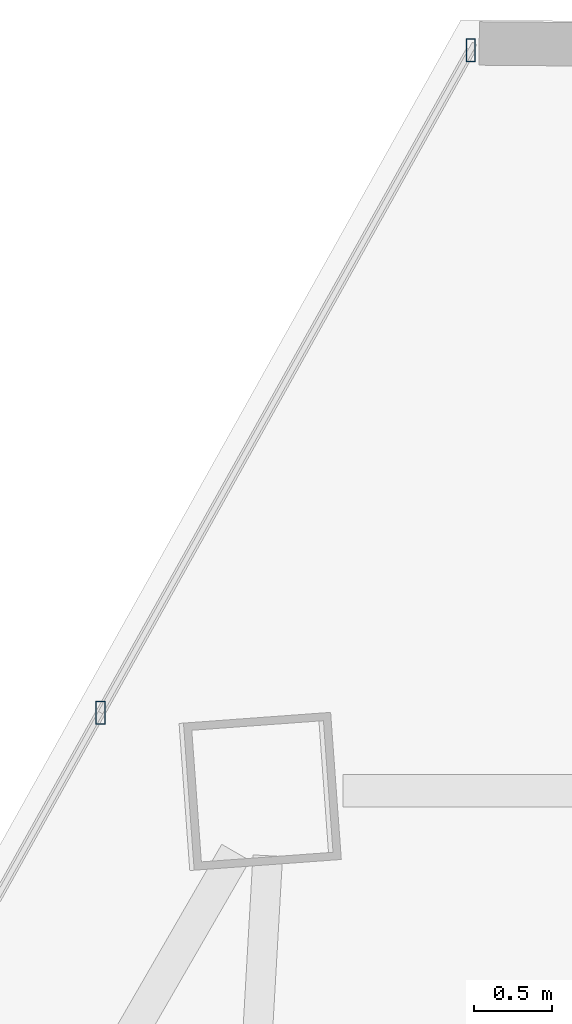
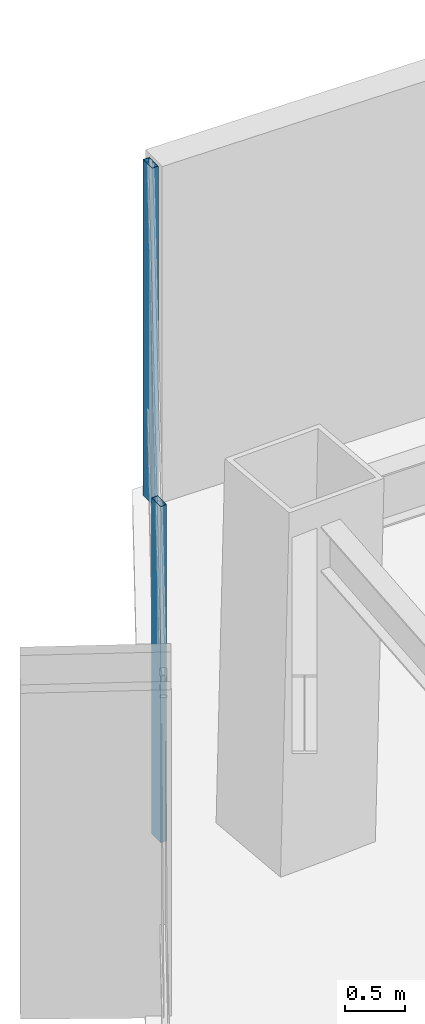
# One storey, part 28 of 39: 2 members, 1 element without a shape of its own.
"""IFC4 building model written with IfcOpenShell, lengths in metres."""

import ifcopenshell
import ifcopenshell.guid

model = None  # the IFC model being written
_history = None  # IfcOwnerHistory: only IFC2X3 demands one
_inside = {}  # id of a spatial element -> (the spatial element, [elements in it])
_under = {}  # id of a project, library or spatial element -> (it, [spatial elements below it])
_declared = {}  # id of a project -> (the project, [libraries it declares])
_typed = {}  # id of a type object -> (the type object, [elements of that type])
_made_of = {}  # id of a material, layer set ... -> (it, [elements and type objects made of it])


def new_model(schema):
    """Start an empty IFC model of exactly this schema.

    Asked for "IFC4X3", IfcOpenShell would pick the latest addendum, in which some entities
    have other attributes; the version numbers below select the first issue.
    IFC2X3 requires an IfcOwnerHistory on every rooted entity: one is made here for all.
    """
    global model, _history
    if schema == "IFC4X3":
        model = ifcopenshell.file(schema_version=(4, 3, 0, 0))
    else:
        model = ifcopenshell.file(schema=schema)
    _inside.clear()
    _under.clear()
    _declared.clear()
    _typed.clear()
    _made_of.clear()
    _history = None
    if model.schema == "IFC2X3":
        org = make("IfcOrganization", Name="unknown")
        user = make(
            "IfcPersonAndOrganization",
            ThePerson=make("IfcPerson", FamilyName="unknown"),
            TheOrganization=org,
        )
        app = make(
            "IfcApplication",
            ApplicationDeveloper=org,
            Version="unknown",
            ApplicationFullName="unknown",
            ApplicationIdentifier="unknown",
        )
        _history = make(
            "IfcOwnerHistory",
            OwningUser=user,
            OwningApplication=app,
            ChangeAction="ADDED",
            CreationDate=0,
        )
    return model


def make(cls, **values):
    """One entity of the class cls with the attributes given. An attribute that is None is left unset."""
    return model.create_entity(
        cls, **{name: value for name, value in values.items() if value is not None}
    )


def rooted(cls, **values):
    """An entity with a GlobalId (a new one), such as an element, a storey or a relation."""
    return make(cls, GlobalId=ifcopenshell.guid.new(), OwnerHistory=_history, **values)


def si_unit(unit_type, name, prefix=None):
    """IfcSIUnit, for example si_unit("LENGTHUNIT", "METRE", prefix="MILLI")."""
    return make("IfcSIUnit", UnitType=unit_type, Prefix=prefix, Name=name)


def assignment(units):
    """IfcUnitAssignment: the units of a project."""
    return None if units is None else make("IfcUnitAssignment", Units=units)


def point(xyz):
    """IfcCartesianPoint."""
    return None if xyz is None else make("IfcCartesianPoint", Coordinates=xyz)


def direction(xyz):
    """IfcDirection."""
    return None if xyz is None else make("IfcDirection", DirectionRatios=xyz)


def frame(location, z_axis=None, x_axis=None):
    """IfcAxis2Placement3D, a coordinate frame: its origin and axes. An axis left out is left unset."""
    return make(
        "IfcAxis2Placement3D",
        Location=point(location),
        Axis=direction(z_axis),
        RefDirection=direction(x_axis),
    )


def frame_2d(location, x_axis=None):
    """IfcAxis2Placement2D, a coordinate frame in the plane: its origin and x axis."""
    return make(
        "IfcAxis2Placement2D", Location=point(location), RefDirection=direction(x_axis)
    )


def origin():
    """The frame at (0, 0, 0) with its axes left unset."""
    return frame((0.0, 0.0, 0.0))


def origin_2d():
    """The frame at (0, 0) in the plane with its x axis left unset."""
    return frame_2d((0.0, 0.0))


def place(relative_to, where):
    """IfcLocalPlacement: puts the frame where relative to a parent placement (None: the world)."""
    return make(
        "IfcLocalPlacement", PlacementRelTo=relative_to, RelativePlacement=where
    )


def context(
    kind, dimensions, precision=None, world=None, true_north=None, identifier=None
):
    """IfcGeometricRepresentationContext, for example the 3D "Model" context."""
    return make(
        "IfcGeometricRepresentationContext",
        ContextIdentifier=identifier,
        ContextType=kind,
        CoordinateSpaceDimension=dimensions,
        Precision=precision,
        WorldCoordinateSystem=world,
        TrueNorth=true_north,
    )


def subcontext(parent, identifier, kind, view, scale=None):
    """IfcGeometricRepresentationSubContext, for example "Body" below "Model"."""
    return make(
        "IfcGeometricRepresentationSubContext",
        ContextIdentifier=identifier,
        ContextType=kind,
        ParentContext=parent,
        TargetScale=scale,
        TargetView=view,
    )


def project(units=None, contexts=None):
    """IfcProject with its units and contexts."""
    return rooted(
        "IfcProject",
        Name="project",
        RepresentationContexts=contexts,
        UnitsInContext=assignment(units),
    )


def spatial(cls, under=None, at=None, **own):
    """A site, building, storey or space (cls), placed at a placement, below another one or the project."""
    s = rooted(cls, ObjectPlacement=at, **own)
    if under is not None:
        _under.setdefault(under.id(), (under, []))[1].append(s)
    return s


def profile(cls, at=None, kind="AREA", **sizes):
    """A parametric profile (cls). Its sizes go by their IFC names, for example OverallWidth=200.0."""
    return make(cls, ProfileType=kind, Position=at, **sizes)


def hollow_rectangle(**sizes):
    """IfcRectangleHollowProfileDef."""
    return profile("IfcRectangleHollowProfileDef", **sizes)


def extrude(swept, where, along, depth):
    """IfcExtrudedAreaSolid: the profile swept, set in the frame where, extruded along a direction by depth."""
    return make(
        "IfcExtrudedAreaSolid",
        SweptArea=swept,
        Position=where,
        ExtrudedDirection=direction(along),
        Depth=depth,
    )


def shape(context_of_items, identifier, shape_type, items):
    """IfcShapeRepresentation: the items that make up one representation, for example the "Body"."""
    return make(
        "IfcShapeRepresentation",
        ContextOfItems=context_of_items,
        RepresentationIdentifier=identifier,
        RepresentationType=shape_type,
        Items=items,
    )


def source(mapping_origin, context_of_items, identifier, shape_type, items):
    """IfcRepresentationMap: a shape defined once, which mapped items show again and again."""
    return make(
        "IfcRepresentationMap",
        MappingOrigin=mapping_origin,
        MappedRepresentation=shape(context_of_items, identifier, shape_type, items),
    )


def transform(
    local_origin,
    x_axis=None,
    y_axis=None,
    z_axis=None,
    scale=None,
    scale2=None,
    scale3=None,
    uniform=True,
):
    """IfcCartesianTransformationOperator3D, or its non-uniform kind. x_axis, y_axis, z_axis: its Axis1, 2, 3."""
    if uniform:
        return make(
            "IfcCartesianTransformationOperator3D",
            Axis1=direction(x_axis),
            Axis2=direction(y_axis),
            LocalOrigin=point(local_origin),
            Scale=scale,
            Axis3=direction(z_axis),
        )
    return make(
        "IfcCartesianTransformationOperator3DnonUniform",
        Axis1=direction(x_axis),
        Axis2=direction(y_axis),
        LocalOrigin=point(local_origin),
        Scale=scale,
        Axis3=direction(z_axis),
        Scale2=scale2,
        Scale3=scale3,
    )


def mapped(mapping_source, mapping_target):
    """IfcMappedItem: shows the shape of a source again, moved by a transform."""
    return make(
        "IfcMappedItem", MappingSource=mapping_source, MappingTarget=mapping_target
    )


def material(Name=None, Category=None):
    """IfcMaterial."""
    return make("IfcMaterial", Name=Name, Category=Category)


def material_profile(
    of_material, cross_section, Name=None, Category=None, Priority=None
):
    """IfcMaterialProfile: a cross section and its material."""
    return make(
        "IfcMaterialProfile",
        Name=Name,
        Material=of_material,
        Profile=cross_section,
        Priority=Priority,
        Category=Category,
    )


def profile_set(profiles, Name=None, composite=None):
    """IfcMaterialProfileSet."""
    return make(
        "IfcMaterialProfileSet",
        Name=Name,
        MaterialProfiles=profiles,
        CompositeProfile=composite,
    )


def made_of(thing, what):
    """Note that an element or type object is made of a material, layer set ...; save() writes the relation."""
    if what is not None:
        _made_of.setdefault(what.id(), (what, []))[1].append(thing)
    return thing


def type_object(cls, material=None, **own):
    """A type object (cls), such as IfcWallType, which elements share."""
    return made_of(rooted(cls, **own), material)


def type_shapes(of_type, sources):
    """Give a type object the sources (RepresentationMaps) that its elements show as mapped items."""
    of_type.RepresentationMaps = sources


def element(
    cls,
    number,
    at=None,
    inside=None,
    cuts=None,
    type_object=None,
    material=None,
    context=None,
    identifier="Body",
    shape_type=None,
    held_by="IfcProductDefinitionShape",
    body=None,
    shapes=None,
    **own,
):
    """One element of the class cls, such as IfcWall. Its Tag is "e" and its number.

    at: its placement. inside: the storey or other place that contains it. cuts: it is an
    opening in that element (IfcRelVoidsElement). A single representation is given by context,
    identifier, shape_type and body (its items); several are given by shapes. held_by: the class
    of the entity that holds the representations. save() writes the other relations.
    """
    e = rooted(cls, Tag="e%d" % number, ObjectPlacement=at, **own)
    if body is not None:
        shapes = [shape(context, identifier, shape_type, body)]
    if shapes is not None:
        e.Representation = make(held_by, Representations=shapes)
    if inside is not None:
        _inside.setdefault(inside.id(), (inside, []))[1].append(e)
    if cuts is not None:
        rooted(
            "IfcRelVoidsElement", RelatingBuildingElement=cuts, RelatedOpeningElement=e
        )
    if type_object is not None:
        _typed.setdefault(type_object.id(), (type_object, []))[1].append(e)
    return made_of(e, material)


def aggregate(whole, parts):
    """IfcRelAggregates: a whole, such as a stair, and the parts it consists of."""
    return rooted("IfcRelAggregates", RelatingObject=whole, RelatedObjects=parts)


def save(model, path):
    """Write the relations noted so far, then the file.

    IfcRelAggregates (storeys below a building ...), IfcRelContainedInSpatialStructure (elements
    in a storey), IfcRelDefinesByType, IfcRelAssociatesMaterial and IfcRelDeclares: one each for
    every whole, place, type object, material and project.
    """
    for whole, parts in _under.values():
        aggregate(whole, parts)
    for where, things in _inside.values():
        rooted(
            "IfcRelContainedInSpatialStructure",
            RelatedElements=things,
            RelatingStructure=where,
        )
    for kind, things in _typed.values():
        rooted("IfcRelDefinesByType", RelatedObjects=things, RelatingType=kind)
    for what, things in _made_of.values():
        rooted("IfcRelAssociatesMaterial", RelatedObjects=things, RelatingMaterial=what)
    for by, libraries in _declared.values():
        rooted("IfcRelDeclares", RelatingContext=by, RelatedDefinitions=libraries)
    model.write(path)


model = new_model("IFC4")

# Units and contexts
model_context = context("Model", 3, precision=1e-05, world=origin(), true_north=direction((0.0, 1.0)))
body_context = subcontext(model_context, "Body", "Model", "MODEL_VIEW")
ifc_project = project(units=[si_unit("LENGTHUNIT", "METRE"), si_unit("AREAUNIT", "SQUARE_METRE"), si_unit("VOLUMEUNIT", "CUBIC_METRE"), si_unit("PLANEANGLEUNIT", "RADIAN"), si_unit("MASSUNIT", "GRAM", prefix="KILO")], contexts=[model_context])

# Site, building, storey
site_placement = place(None, origin())
site = spatial("IfcSite", under=ifc_project, at=site_placement, CompositionType="ELEMENT")
building_placement = place(site_placement, origin())
building = spatial("IfcBuilding", under=site, at=building_placement, Name="Caelisora Broadcast Tower", CompositionType="ELEMENT")
storey_placement = place(building_placement, frame((0.0, 0.0, 139.10009765625)))
storey = spatial("IfcBuildingStorey", under=building, at=storey_placement, Name="L36", CompositionType="ELEMENT", Elevation=139.10009765625)

# Curtain wall, members
ifc_material_1 = material(Name="Unitised Aluminium and Low-E Glass Curtain Wall", Category="glass")
curtain_wall_type = type_object("IfcCurtainWallType", Name="CW-Z3", PredefinedType="NOTDEFINED", material=ifc_material_1)
curtain_wall_placement = place(storey_placement, origin())
curtain_wall = element("IfcCurtainWall", 1, at=curtain_wall_placement, inside=storey, type_object=curtain_wall_type, Name="L36 curtain wall CW-Z3", PredefinedType="NOTDEFINED")
ifc_material_2 = material(Name="Aluminium 6063-T6 Anodised Terracotta Bronze", Category="aluminium")
ifc_material_profile = material_profile(ifc_material_2, hollow_rectangle(XDim=0.06005859375, YDim=0.14990234375, WallThickness=0.00341796875, at=origin_2d()), Name="Aluminium 6063-T6 Anodised Terracotta Bronze")
ifc_profile_set = profile_set([ifc_material_profile], Name="Aluminium 6063-T6 Anodised Terracotta Bronze")
member_type = type_object("IfcMemberType", Name="CWM-03", PredefinedType="MULLION", material=ifc_profile_set)
shared_shape = source(origin(), body_context, "Body", "SweptSolid", [
    extrude(hollow_rectangle(XDim=0.06005859375, YDim=0.14990234375, WallThickness=0.00341796875, at=origin_2d()), origin(), (0.0, 0.0, 1.0), 3.39990234375),
])
type_shapes(member_type, [shared_shape])
member_1_placement = place(storey_placement, frame((30.33837890625, 46.976806640625, 0.0), z_axis=(0.0, 0.0, 1.0), x_axis=(1.0, 0.0, 0.0)))
member_1 = element("IfcMember", 2, at=member_1_placement, type_object=member_type, Name="L36-CW-B11 mullion #2", PredefinedType="MULLION", context=body_context, shape_type="MappedRepresentation", body=[
    mapped(shared_shape, transform((0.0, 0.0, 0.0), scale=1.0)),
])
member_2_placement = place(storey_placement, frame((32.72265625, 51.243408203125, 0.0), z_axis=(0.0, 0.0, 1.0), x_axis=(1.0, 0.0, 0.0)))
member_2 = element("IfcMember", 3, at=member_2_placement, type_object=member_type, Name="L36-CW-B11 mullion #3", PredefinedType="MULLION", context=body_context, shape_type="MappedRepresentation", body=[
    mapped(shared_shape, transform((0.0, 0.0, 0.0), scale=1.0)),
])
aggregate(curtain_wall, [member_1, member_2])

save(model, "model.ifc")
